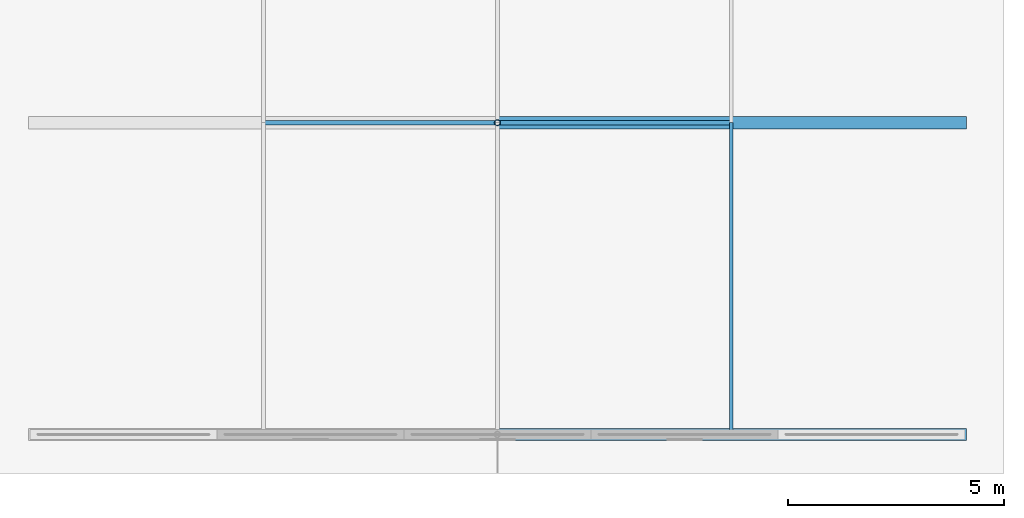
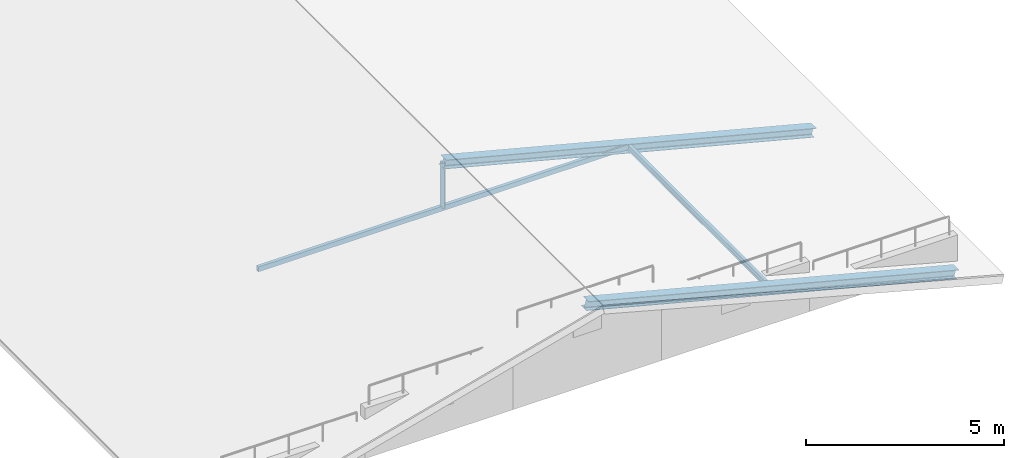
# One storey, part 2 of 8: 5 members.
"""IFC4 building model written with IfcOpenShell, lengths in metres."""

from ifc_helpers import new_model, si_unit, direction, frame, origin, origin_2d, place, context, subcontext, project, spatial, hollow_rectangle, hollow_circle, i_section, extrude, material, material_profile, profile_set, type_object, element, save


model = new_model("IFC4")

# Units and contexts
model_context = context("Model", 3, precision=1e-05, world=origin(), true_north=direction((0.0, 1.0)))
body_context = subcontext(model_context, "Body", "Model", "MODEL_VIEW")
ifc_project = project(units=[si_unit("LENGTHUNIT", "METRE"), si_unit("AREAUNIT", "SQUARE_METRE"), si_unit("VOLUMEUNIT", "CUBIC_METRE"), si_unit("PLANEANGLEUNIT", "RADIAN"), si_unit("MASSUNIT", "GRAM", prefix="KILO"), si_unit("THERMODYNAMICTEMPERATUREUNIT", "KELVIN"), si_unit("POWERUNIT", "WATT")], contexts=[model_context])

# Site, building, storey
site_placement = place(None, origin())
site = spatial("IfcSite", under=ifc_project, at=site_placement, CompositionType="ELEMENT")
building_placement = place(site_placement, origin())
building = spatial("IfcBuilding", under=site, at=building_placement, Name="Tavuni Mirador Residences", CompositionType="ELEMENT")
storey_placement = place(building_placement, frame((0.0, 0.0, 51.75)))
storey = spatial("IfcBuildingStorey", under=building, at=storey_placement, Name="RF", CompositionType="ELEMENT", Elevation=51.75)

# Members
ifc_material = material(Name="Structural steel S355", Category="steel")
ifc_material_profile_1 = material_profile(ifc_material, hollow_circle(Radius=0.06982421875, WallThickness=0.008056640625, at=origin_2d()), Name="CHS 139.7x8.0", Category="steel")
ifc_profile_set_1 = profile_set([ifc_material_profile_1], Name="Structural steel S355")
member_type_1 = type_object("IfcMemberType", Name="MT-BR-CHS139", PredefinedType="BRACE", material=ifc_profile_set_1)
member_1_placement = place(storey_placement, frame((14.39990234375, 14.39990234375, 1.050048828125), z_axis=(0.0, 0.0, 1.0), x_axis=(1.0, 0.0, 0.0)))
element("IfcMember", 1, at=member_1_placement, inside=storey, type_object=member_type_1, Name="RKP-BLK-A-01", PredefinedType="BRACE", context=body_context, shape_type="SweptSolid", body=[
    extrude(hollow_circle(Radius=0.06982421875, WallThickness=0.008056640625, at=origin_2d()), origin(), (0.0, 0.0, 1.0), 1.39990234375),
])
ifc_material_profile_2 = material_profile(ifc_material, hollow_rectangle(XDim=0.10009765625, YDim=0.14990234375, WallThickness=0.008056640625, at=origin_2d()), Name="RHS 150x100x8.0", Category="steel")
ifc_profile_set_2 = profile_set([ifc_material_profile_2], Name="Structural steel S355")
member_type_2 = type_object("IfcMemberType", Name="MT-BR-RHS150", PredefinedType="BRACE", material=ifc_profile_set_2)
member_2_placement = place(storey_placement, frame((9.0, 14.39990234375, 1.050048828125), z_axis=(1.0, 0.0, 0.0), x_axis=(0.0, 1.0, 0.0)))
element("IfcMember", 2, at=member_2_placement, inside=storey, type_object=member_type_2, Name="RTIE-BLK-A-01", PredefinedType="BRACE", context=body_context, shape_type="SweptSolid", body=[
    extrude(hollow_rectangle(XDim=0.10009765625, YDim=0.14990234375, WallThickness=0.008056640625, at=origin_2d()), origin(), (0.0, 0.0, 1.0), 10.800048828125),
])
ifc_material_profile_3 = material_profile(ifc_material, i_section(OverallWidth=0.280029296875, OverallDepth=0.27001953125, WebThickness=0.008056640625, FlangeThickness=0.012939453125, FilletRadius=0.02392578125, at=origin_2d()), Name="HEA 280", Category="steel")
ifc_profile_set_3 = profile_set([ifc_material_profile_3], Name="Structural steel S355")
member_type_3 = type_object("IfcMemberType", Name="MT-CH-HEA280", PredefinedType="CHORD", material=ifc_profile_set_3)
for number, where, z_axis, x_axis, name in (
    (3, (14.39990234375, 7.199951171875, 2.449951171875), (0.967996110632, 0.0, -0.250965196393), (0.0, 1.0, 0.0), "RAF-BLK-A-00-E"),
    (4, (14.39990234375, 14.39990234375, 2.449951171875), (0.967996110632, 0.0, -0.250965196393), (0.0, 1.0, 0.0), "RAF-BLK-A-01-E"),
):
    element("IfcMember", number, at=place(storey_placement, frame(where, z_axis=z_axis, x_axis=x_axis)), inside=storey, type_object=member_type_3, Name=name, PredefinedType="CHORD", context=body_context, shape_type="SweptSolid", body=[
        extrude(i_section(OverallWidth=0.280029296875, OverallDepth=0.27001953125, WebThickness=0.008056640625, FlangeThickness=0.012939453125, FilletRadius=0.02392578125, at=origin_2d()), origin(), (0.0, 0.0, 1.0), 11.1572265625),
    ])
ifc_material_profile_4 = material_profile(ifc_material, i_section(OverallWidth=0.091064453125, OverallDepth=0.179931640625, WebThickness=0.00537109375, FlangeThickness=0.008056640625, FilletRadius=0.009033203125, at=origin_2d()), Name="IPE 180", Category="steel")
ifc_profile_set_4 = profile_set([ifc_material_profile_4], Name="Structural steel S355")
member_type_4 = type_object("IfcMemberType", Name="MT-PR-IPE180", PredefinedType="PURLIN", material=ifc_profile_set_4)
member_3_placement = place(storey_placement, frame((19.800048828125, 7.199951171875, 1.06005859375), z_axis=(0.0, 1.0, 0.0), x_axis=(-1.0, 0.0, 0.0)))
element("IfcMember", 5, at=member_3_placement, inside=storey, type_object=member_type_4, Name="RPUR-BLK-A-75-00", PredefinedType="PURLIN", context=body_context, shape_type="SweptSolid", body=[
    extrude(i_section(OverallWidth=0.091064453125, OverallDepth=0.179931640625, WebThickness=0.00537109375, FlangeThickness=0.008056640625, FilletRadius=0.009033203125, at=origin_2d()), origin(), (0.0, 0.0, 1.0), 7.199951171875),
])

save(model, "model.ifc")
